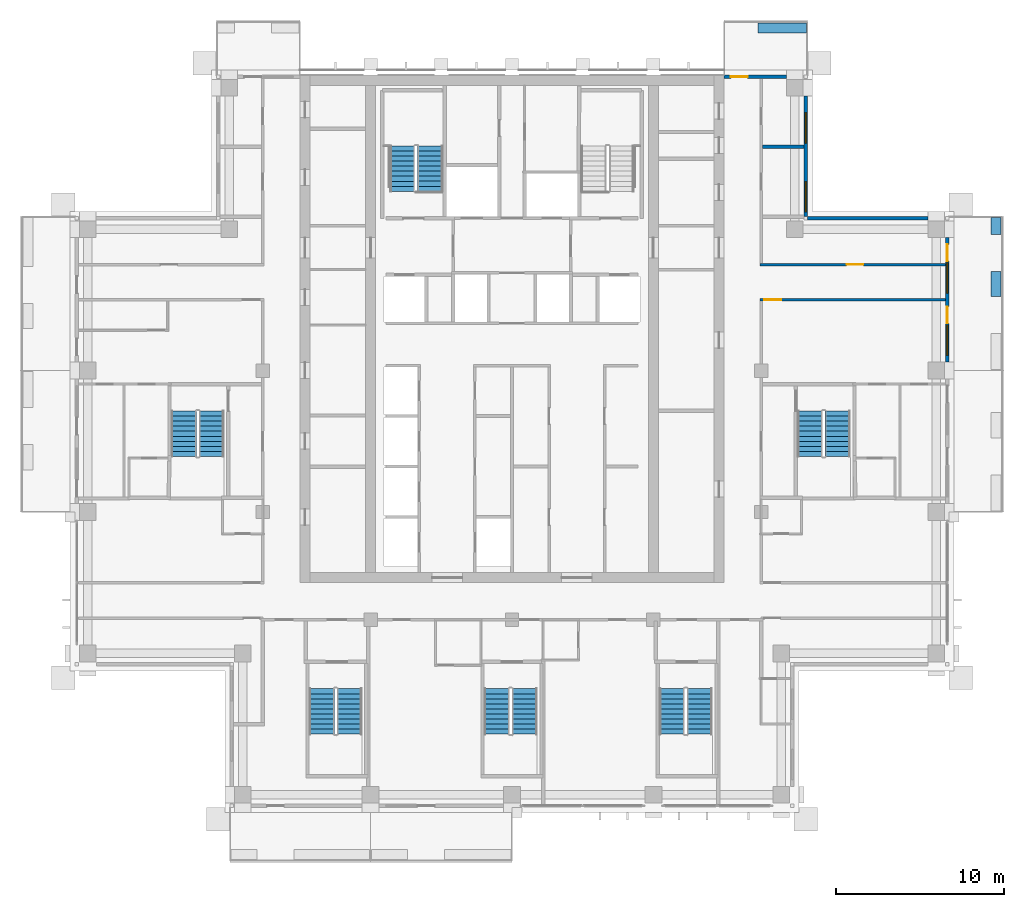
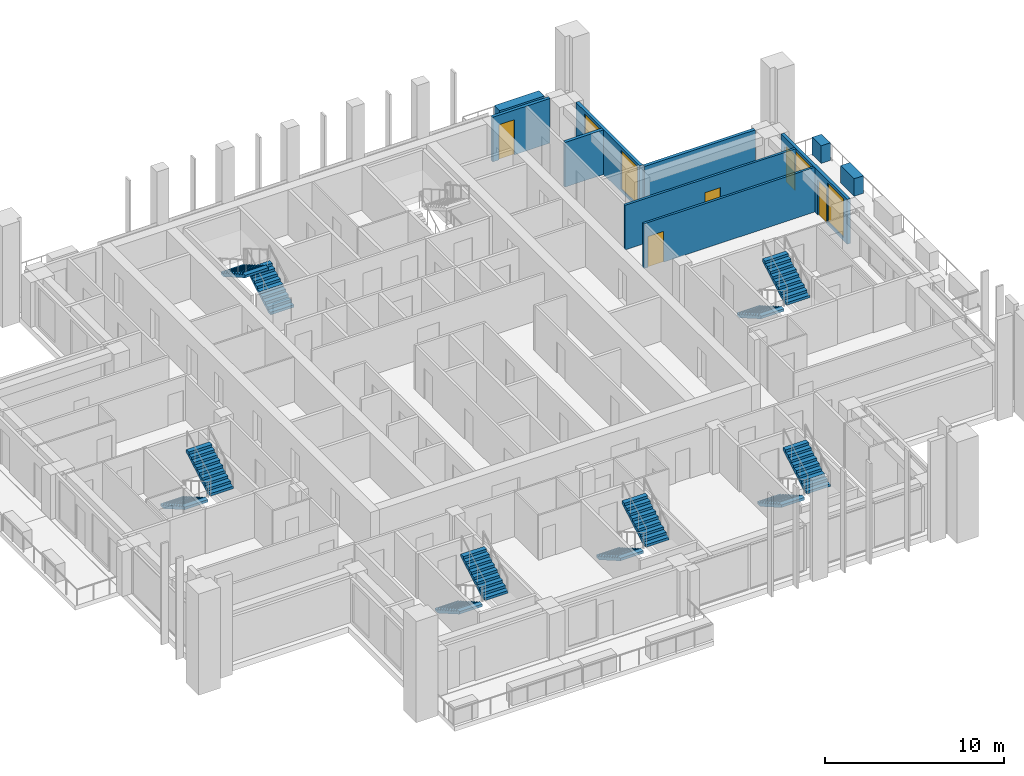
# One storey, part 12 of 17: 12 stair flights, 10 walls, 5 doors, 4 windows, 9 openings, 6 elements without a shape of their own.
"""IFC4 building model written with IfcOpenShell, lengths in metres."""

from ifc_helpers import new_model, si_unit, direction, frame, frame_2d, origin, place, context, subcontext, project, spatial, polyline, rectangle, outline, extrude, material, layer, layer_set, type_object, element, fill, aggregate, save


model = new_model("IFC4")

# Units and contexts
model_context = context("Model", 3, precision=1e-05, world=origin(), true_north=direction((0.0, 1.0)))
body_context = subcontext(model_context, "Body", "Model", "MODEL_VIEW")
ifc_project = project(units=[si_unit("LENGTHUNIT", "METRE"), si_unit("AREAUNIT", "SQUARE_METRE"), si_unit("VOLUMEUNIT", "CUBIC_METRE"), si_unit("PLANEANGLEUNIT", "RADIAN"), si_unit("MASSUNIT", "GRAM", prefix="KILO")], contexts=[model_context])

# Site, building, storey
site_placement = place(None, origin())
site = spatial("IfcSite", under=ifc_project, at=site_placement, CompositionType="ELEMENT")
building_placement = place(site_placement, origin())
building = spatial("IfcBuilding", under=site, at=building_placement, Name="Vermilion Ogive Tower", CompositionType="ELEMENT")
storey_placement = place(building_placement, frame((0.0, 0.0, 192.800048828125)))
storey = spatial("IfcBuildingStorey", under=building, at=storey_placement, Name="L50", CompositionType="ELEMENT", Elevation=192.800048828125)

# Wall, opening, door
ifc_material_1 = material(Name="Gypsum board partition on steel studs", Category="steel")
ifc_layer_1 = layer(ifc_material_1, 0.14990234375)
ifc_layer_set_1 = layer_set([ifc_layer_1], Name="Partition 150 corridor")
wall_type_1 = type_object("IfcWallType", Name="Partition 150 corridor", PredefinedType="PARTITIONING", material=ifc_layer_set_1)
wall_1_placement = place(storey_placement, frame((14.72509765625, 8.39990234375, 0.0), z_axis=(0.0, 0.0, 1.0), x_axis=(1.0, 0.0, 0.0)))
wall_1 = element("IfcWall", 1, at=wall_1_placement, inside=storey, type_object=wall_type_1, Name="L50-W-W039", PredefinedType="PARTITIONING", context=body_context, shape_type="SweptSolid", body=[
    extrude(rectangle(XDim=11.02490234375, YDim=0.14990234375, at=frame_2d((5.512451171875, 0.0))), origin(), (0.0, 0.0, 1.0), 3.050048828125),
])
opening_1_placement = place(wall_1_placement, frame((0.27490234375, 0.0, 0.0)))
opening_1 = element("IfcOpeningElement", 2, at=opening_1_placement, cuts=wall_1, Name="Opening D4G3020", PredefinedType="OPENING", context=body_context, shape_type="SweptSolid", body=[
    extrude(rectangle(XDim=1.0, YDim=2.10009765625, at=frame_2d((0.5, 1.050048828125))), frame((0.0, 0.0849609375, 0.0), z_axis=(0.0, -1.0, 0.0), x_axis=(1.0, 0.0, 0.0)), (0.0, 0.0, 1.0), 0.169921875),
])
ifc_material_2 = material(Name="Timber door leaf", Category="wood")
door_type_1 = type_object("IfcDoorType", Name="Unit door 1000 x 2100 FD30S", OperationType="SINGLE_SWING_LEFT", PredefinedType="DOOR", material=ifc_material_2)
door_1_placement = place(opening_1_placement, origin())
door_1 = element("IfcDoor", 3, at=door_1_placement, inside=storey, type_object=door_type_1, Name="L50-D-D020", OperationType="SINGLE_SWING_RIGHT", OverallHeight=2.10009765625, OverallWidth=1.0, PredefinedType="DOOR", context=body_context, shape_type="SweptSolid", body=[
    extrude(rectangle(XDim=1.0, YDim=2.10009765625, at=frame_2d((0.5, 1.050048828125))), frame((0.0, 0.02490234375, 0.0), z_axis=(0.0, -1.0, 0.0), x_axis=(1.0, 0.0, 0.0)), (0.0, 0.0, 1.0), 0.050048828125),
])
fill(opening_1, door_1)

wall_2_placement = place(storey_placement, frame((14.72509765625, 10.5, 0.0), z_axis=(0.0, 0.0, 1.0), x_axis=(1.0, 0.0, 0.0)))
wall_2 = element("IfcWall", 4, at=wall_2_placement, inside=storey, type_object=wall_type_1, Name="L50-W-W041", PredefinedType="PARTITIONING", context=body_context, shape_type="SweptSolid", body=[
    extrude(rectangle(XDim=11.02490234375, YDim=0.14990234375, at=frame_2d((5.512451171875, 0.0))), origin(), (0.0, 0.0, 1.0), 3.050048828125),
])
opening_2_placement = place(wall_2_placement, frame((5.14990234375, 0.0, 0.0)))
opening_2 = element("IfcOpeningElement", 5, at=opening_2_placement, cuts=wall_2, Name="Opening D4G3038", PredefinedType="OPENING", context=body_context, shape_type="SweptSolid", body=[
    extrude(rectangle(XDim=1.0, YDim=2.10009765625, at=frame_2d((0.5, 1.050048828125))), frame((0.0, 0.0849609375, 0.0), z_axis=(0.0, -1.0, 0.0), x_axis=(1.0, 0.0, 0.0)), (0.0, 0.0, 1.0), 0.169921875),
])
door_2_placement = place(opening_2_placement, origin())
door_2 = element("IfcDoor", 6, at=door_2_placement, inside=storey, type_object=door_type_1, Name="L50-D-D038", OperationType="SINGLE_SWING_RIGHT", OverallHeight=2.10009765625, OverallWidth=1.0, PredefinedType="DOOR", context=body_context, shape_type="SweptSolid", body=[
    extrude(rectangle(XDim=1.0, YDim=2.10009765625, at=frame_2d((0.5, 1.050048828125))), frame((0.0, 0.02490234375, 0.0), z_axis=(0.0, -1.0, 0.0), x_axis=(1.0, 0.0, 0.0)), (0.0, 0.0, 1.0), 0.050048828125),
])
fill(opening_2, door_2)

# Walls
ifc_material_3 = material(Name="Gypsum board partition on steel studs", Category="steel")
ifc_layer_2 = layer(ifc_material_3, 0.199951171875)
ifc_layer_set_2 = layer_set([ifc_layer_2], Name="Partition 200 party")
wall_type_2 = type_object("IfcWallType", Name="Partition 200 party", PredefinedType="PARTITIONING", material=ifc_layer_set_2)
wall_3_placement = place(storey_placement, frame((14.875, 17.5, 0.0), z_axis=(0.0, 0.0, 1.0), x_axis=(1.0, 0.0, 0.0)))
element("IfcWall", 7, at=wall_3_placement, inside=storey, type_object=wall_type_2, Name="L50-W-W045", PredefinedType="PARTITIONING", context=body_context, shape_type="SweptSolid", body=[
    extrude(rectangle(XDim=2.47509765625, YDim=0.199951171875, at=frame_2d((1.237548828125, 0.0))), origin(), (0.0, 0.0, 1.0), 3.050048828125),
])
ifc_material_4 = material(Name="Concrete B40", Category="concrete")
ifc_layer_3 = layer(ifc_material_4, 0.60009765625)
ifc_layer_set_3 = layer_set([ifc_layer_3], Name="Structural planter")
wall_type_3 = type_object("IfcWallType", Name="Structural planter", PredefinedType="USERDEFINED", material=ifc_layer_set_3)
wall_4_placement = place(storey_placement, frame((28.75, 8.60009765625, -0.0400390625), z_axis=(0.0, 0.0, 1.0), x_axis=(0.0, 1.0, 0.0)))
element("IfcWall", 8, at=wall_4_placement, inside=storey, type_object=wall_type_3, Name="Planter E03A2", ObjectType="PLANTER", PredefinedType="USERDEFINED", context=body_context, shape_type="SweptSolid", body=[
    extrude(rectangle(XDim=1.5, YDim=0.60009765625, at=frame_2d((0.75, 0.0))), origin(), (0.0, 0.0, 1.0), 1.199951171875),
])
wall_5_placement = place(storey_placement, frame((28.75, 12.300048828125, -0.0400390625), z_axis=(0.0, 0.0, 1.0), x_axis=(0.0, 1.0, 0.0)))
element("IfcWall", 9, at=wall_5_placement, inside=storey, type_object=wall_type_3, Name="Planter E03A3", ObjectType="PLANTER", PredefinedType="USERDEFINED", context=body_context, shape_type="SweptSolid", body=[
    extrude(rectangle(XDim=0.989990234375, YDim=0.60009765625, at=frame_2d((0.4951171875, 0.0))), origin(), (0.0, 0.0, 1.0), 1.199951171875),
])
wall_6_placement = place(storey_placement, frame((17.489990234375, 24.550048828125, -0.0400390625), z_axis=(0.0, 0.0, 1.0), x_axis=(-1.0, 0.0, 0.0)))
element("IfcWall", 10, at=wall_6_placement, inside=storey, type_object=wall_type_3, Name="Planter N101A1", ObjectType="PLANTER", PredefinedType="USERDEFINED", context=body_context, shape_type="SweptSolid", body=[
    extrude(rectangle(XDim=2.889892578125, YDim=0.60009765625, at=frame_2d((1.44482421875, 0.0))), origin(), (0.0, 0.0, 1.0), 1.199951171875),
])

# Wall, openings, doors, windows
ifc_material_5 = material(Name="Aluminium window wall framing", Category="aluminium")
ifc_layer_4 = layer(ifc_material_5, 0.199951171875)
ifc_layer_set_4 = layer_set([ifc_layer_4], Name="Window wall")
wall_type_4 = type_object("IfcWallType", Name="Window wall", PredefinedType="STANDARD", material=ifc_layer_set_4)
wall_7_placement = place(storey_placement, frame((25.85009765625, 4.699951171875, 0.0), z_axis=(0.0, 0.0, 1.0), x_axis=(0.0, 1.0, 0.0)))
wall_7 = element("IfcWall", 11, at=wall_7_placement, inside=storey, type_object=wall_type_4, Name="Window wall E3", PredefinedType="STANDARD", context=body_context, shape_type="SweptSolid", body=[
    extrude(rectangle(XDim=7.400146484375, YDim=0.199951171875, at=frame_2d((3.7001953125, 0.0))), origin(), (0.0, 0.0, 1.0), 3.050048828125),
])
opening_3_placement = place(wall_7_placement, frame((0.39990234375, 0.0, 0.199951171875)))
opening_3 = element("IfcOpeningElement", 12, at=opening_3_placement, cuts=wall_7, Name="Opening W1-E01", PredefinedType="OPENING", context=body_context, shape_type="SweptSolid", body=[
    extrude(rectangle(XDim=1.800048828125, YDim=2.64990234375, at=frame_2d((0.89990234375, 1.324951171875))), frame((0.0, 0.10986328125, 0.0), z_axis=(0.0, -1.0, 0.0), x_axis=(1.0, 0.0, 0.0)), (0.0, 0.0, 1.0), 0.219970703125),
])
opening_4_placement = place(wall_7_placement, frame((2.300048828125, 0.0, 0.0)))
opening_4 = element("IfcOpeningElement", 13, at=opening_4_placement, cuts=wall_7, Name="Opening D1-E01", PredefinedType="OPENING", context=body_context, shape_type="SweptSolid", body=[
    extrude(rectangle(XDim=1.0, YDim=2.39990234375, at=frame_2d((0.5, 1.199951171875))), frame((0.0, 0.10986328125, 0.0), z_axis=(0.0, -1.0, 0.0), x_axis=(1.0, 0.0, 0.0)), (0.0, 0.0, 1.0), 0.219970703125),
])
opening_5_placement = place(wall_7_placement, frame((4.10009765625, 0.0, 0.199951171875)))
opening_5 = element("IfcOpeningElement", 14, at=opening_5_placement, cuts=wall_7, Name="Opening W1-E02", PredefinedType="OPENING", context=body_context, shape_type="SweptSolid", body=[
    extrude(rectangle(XDim=1.800048828125, YDim=2.64990234375, at=frame_2d((0.89990234375, 1.324951171875))), frame((0.0, 0.10986328125, 0.0), z_axis=(0.0, -1.0, 0.0), x_axis=(1.0, 0.0, 0.0)), (0.0, 0.0, 1.0), 0.219970703125),
])
opening_6_placement = place(wall_7_placement, frame((6.0, 0.0, 0.0)))
opening_6 = element("IfcOpeningElement", 15, at=opening_6_placement, cuts=wall_7, Name="Opening D1-E02", PredefinedType="OPENING", context=body_context, shape_type="SweptSolid", body=[
    extrude(rectangle(XDim=1.0, YDim=2.39990234375, at=frame_2d((0.5, 1.199951171875))), frame((0.0, 0.10986328125, 0.0), z_axis=(0.0, -1.0, 0.0), x_axis=(1.0, 0.0, 0.0)), (0.0, 0.0, 1.0), 0.219970703125),
])
ifc_material_6 = material(Name="Aluminium framed glazed door", Category="aluminium")
door_type_2 = type_object("IfcDoorType", Name="Balcony door D1", OperationType="SINGLE_SWING_LEFT", PredefinedType="DOOR", material=ifc_material_6)
door_3_placement = place(opening_4_placement, origin())
door_3 = element("IfcDoor", 16, at=door_3_placement, inside=storey, type_object=door_type_2, Name="Balcony door E01", OperationType="SINGLE_SWING_LEFT", OverallHeight=2.39990234375, OverallWidth=1.0, PredefinedType="DOOR", context=body_context, shape_type="SweptSolid", body=[
    extrude(rectangle(XDim=1.0, YDim=2.39990234375, at=frame_2d((0.5, 1.199951171875))), frame((0.0, 0.02490234375, 0.0), z_axis=(0.0, -1.0, 0.0), x_axis=(1.0, 0.0, 0.0)), (0.0, 0.0, 1.0), 0.050048828125),
])
fill(opening_4, door_3)
door_4_placement = place(opening_6_placement, origin())
door_4 = element("IfcDoor", 17, at=door_4_placement, inside=storey, type_object=door_type_2, Name="Balcony door E02", OperationType="SINGLE_SWING_LEFT", OverallHeight=2.39990234375, OverallWidth=1.0, PredefinedType="DOOR", context=body_context, shape_type="SweptSolid", body=[
    extrude(rectangle(XDim=1.0, YDim=2.39990234375, at=frame_2d((0.5, 1.199951171875))), frame((0.0, 0.02490234375, 0.0), z_axis=(0.0, -1.0, 0.0), x_axis=(1.0, 0.0, 0.0)), (0.0, 0.0, 1.0), 0.050048828125),
])
fill(opening_6, door_4)
ifc_material_7 = material(Name="Aluminium framed double glazing", Category="aluminium")
window_type = type_object("IfcWindowType", Name="Guest window W1", PartitioningType="SINGLE_PANEL", PredefinedType="WINDOW", material=ifc_material_7)
window_1_placement = place(opening_3_placement, origin())
window_1 = element("IfcWindow", 18, at=window_1_placement, inside=storey, type_object=window_type, Name="Window E01", OverallHeight=2.64990234375, OverallWidth=1.800048828125, PartitioningType="SINGLE_PANEL", PredefinedType="WINDOW", context=body_context, shape_type="SweptSolid", body=[
    extrude(rectangle(XDim=1.800048828125, YDim=2.64990234375, at=frame_2d((0.89990234375, 1.324951171875))), frame((0.0, 0.030029296875, 0.0), z_axis=(0.0, -1.0, 0.0), x_axis=(1.0, 0.0, 0.0)), (0.0, 0.0, 1.0), 0.06005859375),
])
fill(opening_3, window_1)
window_2_placement = place(opening_5_placement, origin())
window_2 = element("IfcWindow", 19, at=window_2_placement, inside=storey, type_object=window_type, Name="Window E02", OverallHeight=2.64990234375, OverallWidth=1.800048828125, PartitioningType="SINGLE_PANEL", PredefinedType="WINDOW", context=body_context, shape_type="SweptSolid", body=[
    extrude(rectangle(XDim=1.800048828125, YDim=2.64990234375, at=frame_2d((0.89990234375, 1.324951171875))), frame((0.0, 0.030029296875, 0.0), z_axis=(0.0, -1.0, 0.0), x_axis=(1.0, 0.0, 0.0)), (0.0, 0.0, 1.0), 0.06005859375),
])
fill(opening_5, window_2)

# Wall
wall_8_placement = place(storey_placement, frame((24.699951171875, 13.25, 0.0), z_axis=(0.0, 0.0, 1.0), x_axis=(-1.0, 0.0, 0.0)))
element("IfcWall", 20, at=wall_8_placement, inside=storey, type_object=wall_type_4, Name="Window wall X31", PredefinedType="STANDARD", context=body_context, shape_type="SweptSolid", body=[
    extrude(rectangle(XDim=7.14990234375, YDim=0.199951171875, at=frame_2d((3.574951171875, 0.0))), origin(), (0.0, 0.0, 1.0), 3.050048828125),
])

# Wall, openings, windows
wall_9_placement = place(storey_placement, frame((17.449951171875, 13.35009765625, 0.0), z_axis=(0.0, 0.0, 1.0), x_axis=(0.0, 1.0, 0.0)))
wall_9 = element("IfcWall", 21, at=wall_9_placement, inside=storey, type_object=wall_type_4, Name="Window wall X41", PredefinedType="STANDARD", context=body_context, shape_type="SweptSolid", body=[
    extrude(rectangle(XDim=7.14990234375, YDim=0.199951171875, at=frame_2d((3.574951171875, 0.0))), origin(), (0.0, 0.0, 1.0), 3.050048828125),
])
opening_7_placement = place(wall_9_placement, frame((0.27490234375, 0.0, 0.199951171875)))
opening_7 = element("IfcOpeningElement", 22, at=opening_7_placement, cuts=wall_9, Name="Opening W1-X403", PredefinedType="OPENING", context=body_context, shape_type="SweptSolid", body=[
    extrude(rectangle(XDim=1.800048828125, YDim=2.64990234375, at=frame_2d((0.89990234375, 1.324951171875))), frame((0.0, 0.10986328125, 0.0), z_axis=(0.0, -1.0, 0.0), x_axis=(1.0, 0.0, 0.0)), (0.0, 0.0, 1.0), 0.219970703125),
])
opening_8_placement = place(wall_9_placement, frame((4.3701171875, 0.0, 0.199951171875)))
opening_8 = element("IfcOpeningElement", 23, at=opening_8_placement, cuts=wall_9, Name="Opening W1-X404", PredefinedType="OPENING", context=body_context, shape_type="SweptSolid", body=[
    extrude(rectangle(XDim=1.800048828125, YDim=2.64990234375, at=frame_2d((0.89990234375, 1.324951171875))), frame((0.0, 0.10986328125, 0.0), z_axis=(0.0, -1.0, 0.0), x_axis=(1.0, 0.0, 0.0)), (0.0, 0.0, 1.0), 0.219970703125),
])
window_3_placement = place(opening_7_placement, origin())
window_3 = element("IfcWindow", 24, at=window_3_placement, inside=storey, type_object=window_type, Name="Window X403", OverallHeight=2.64990234375, OverallWidth=1.800048828125, PartitioningType="SINGLE_PANEL", PredefinedType="WINDOW", context=body_context, shape_type="SweptSolid", body=[
    extrude(rectangle(XDim=1.800048828125, YDim=2.64990234375, at=frame_2d((0.89990234375, 1.324951171875))), frame((0.0, 0.030029296875, 0.0), z_axis=(0.0, -1.0, 0.0), x_axis=(1.0, 0.0, 0.0)), (0.0, 0.0, 1.0), 0.06005859375),
])
fill(opening_7, window_3)
window_4_placement = place(opening_8_placement, origin())
window_4 = element("IfcWindow", 25, at=window_4_placement, inside=storey, type_object=window_type, Name="Window X404", OverallHeight=2.64990234375, OverallWidth=1.800048828125, PartitioningType="SINGLE_PANEL", PredefinedType="WINDOW", context=body_context, shape_type="SweptSolid", body=[
    extrude(rectangle(XDim=1.800048828125, YDim=2.64990234375, at=frame_2d((0.89990234375, 1.324951171875))), frame((0.0, 0.030029296875, 0.0), z_axis=(0.0, -1.0, 0.0), x_axis=(1.0, 0.0, 0.0)), (0.0, 0.0, 1.0), 0.06005859375),
])
fill(opening_8, window_4)

# Wall, opening, door
wall_10_placement = place(storey_placement, frame((16.300048828125, 21.64990234375, 0.0), z_axis=(0.0, 0.0, 1.0), x_axis=(-1.0, 0.0, 0.0)))
wall_10 = element("IfcWall", 26, at=wall_10_placement, inside=storey, type_object=wall_type_4, Name="Window wall N11", PredefinedType="STANDARD", context=body_context, shape_type="SweptSolid", body=[
    extrude(rectangle(XDim=3.699951171875, YDim=0.199951171875, at=frame_2d((1.85009765625, 0.0))), origin(), (0.0, 0.0, 1.0), 3.050048828125),
])
opening_9_placement = place(wall_10_placement, frame((2.300048828125, 0.0, 0.0)))
opening_9 = element("IfcOpeningElement", 27, at=opening_9_placement, cuts=wall_10, Name="Opening D1-N103", PredefinedType="OPENING", context=body_context, shape_type="SweptSolid", body=[
    extrude(rectangle(XDim=1.0, YDim=2.39990234375, at=frame_2d((0.5, 1.199951171875))), frame((0.0, 0.10986328125, 0.0), z_axis=(0.0, -1.0, 0.0), x_axis=(1.0, 0.0, 0.0)), (0.0, 0.0, 1.0), 0.219970703125),
])
door_5_placement = place(opening_9_placement, origin())
door_5 = element("IfcDoor", 28, at=door_5_placement, inside=storey, type_object=door_type_2, Name="Balcony door N103", OperationType="SINGLE_SWING_LEFT", OverallHeight=2.39990234375, OverallWidth=1.0, PredefinedType="DOOR", context=body_context, shape_type="SweptSolid", body=[
    extrude(rectangle(XDim=1.0, YDim=2.39990234375, at=frame_2d((0.5, 1.199951171875))), frame((0.0, 0.02490234375, 0.0), z_axis=(0.0, -1.0, 0.0), x_axis=(1.0, 0.0, 0.0)), (0.0, 0.0, 1.0), 0.050048828125),
])
fill(opening_9, door_5)

# Stair, stair flights
ifc_material_8 = material(Name="Concrete B40", Category="concrete")
stair_type = type_object("IfcStairType", Name="Exit stair 1500", PredefinedType="HALF_TURN_STAIR", material=ifc_material_8)
stair_1_placement = place(storey_placement, origin())
stair_1 = element("IfcStair", 29, at=stair_1_placement, inside=storey, type_object=stair_type, Name="L50 Exit Stair ST1", PredefinedType="HALF_TURN_STAIR")
ifc_material_9 = material(Name="Concrete B40", Category="concrete")
stair_flight_type = type_object("IfcStairFlightType", Name="Stair flight 1500", PredefinedType="STRAIGHT", material=ifc_material_9)
stair_flight_1_placement = place(storey_placement, frame((-4.85009765625, 14.85009765625, 0.0), z_axis=(0.0, 0.0, 1.0), x_axis=(0.0, 1.0, 0.0)))
stair_flight_1 = element("IfcStairFlight", 30, at=stair_flight_1_placement, type_object=stair_flight_type, Name="ST1 flight 1", NumberOfRisers=10, NumberOfTreads=9, PredefinedType="STRAIGHT", RiserHeight=0.1725, TreadLength=0.3, context=body_context, shape_type="SweptSolid", body=[
    extrude(outline(polyline([(0.0, 0.0), (0.0, 0.172607421875), (0.300048828125, 0.172607421875), (0.300048828125, 0.344970703125), (0.60009765625, 0.344970703125), (0.60009765625, 0.517578125), (0.89990234375, 0.517578125), (0.89990234375, 0.68994140625), (1.199951171875, 0.68994140625), (1.199951171875, 0.862548828125), (1.5, 0.862548828125), (1.5, 1.034912109375), (1.800048828125, 1.034912109375), (1.800048828125, 1.20751953125), (2.10009765625, 1.20751953125), (2.10009765625, 1.3798828125), (2.39990234375, 1.3798828125), (2.39990234375, 1.552490234375), (2.699951171875, 1.552490234375), (2.699951171875, 1.72509765625), (2.699951171875, 1.379638671875), (0.30078125, 0.0), (0.0, 0.0)])), frame((0.0, 0.75, 0.0), z_axis=(0.0, -1.0, 0.0), x_axis=(1.0, 0.0, 0.0)), (0.0, 0.0, 1.0), 1.5),
])
stair_flight_2_placement = place(storey_placement, frame((-6.5, 17.550048828125, 1.724853515625), z_axis=(0.0, 0.0, 1.0), x_axis=(0.0, -1.0, 0.0)))
stair_flight_2 = element("IfcStairFlight", 31, at=stair_flight_2_placement, type_object=stair_flight_type, Name="ST1 flight 2", NumberOfRisers=10, NumberOfTreads=9, PredefinedType="STRAIGHT", RiserHeight=0.1725, TreadLength=0.3, context=body_context, shape_type="SweptSolid", body=[
    extrude(outline(polyline([(0.0, 0.0), (0.0, 0.172607421875), (0.300048828125, 0.172607421875), (0.300048828125, 0.344970703125), (0.60009765625, 0.344970703125), (0.60009765625, 0.517578125), (0.89990234375, 0.517578125), (0.89990234375, 0.68994140625), (1.199951171875, 0.68994140625), (1.199951171875, 0.862548828125), (1.5, 0.862548828125), (1.5, 1.034912109375), (1.800048828125, 1.034912109375), (1.800048828125, 1.20751953125), (2.10009765625, 1.20751953125), (2.10009765625, 1.3798828125), (2.39990234375, 1.3798828125), (2.39990234375, 1.552490234375), (2.699951171875, 1.552490234375), (2.699951171875, 1.72509765625), (2.699951171875, 1.379638671875), (0.30078125, 0.0), (0.0, 0.0)])), frame((0.0, 0.75, 0.0), z_axis=(0.0, -1.0, 0.0), x_axis=(1.0, 0.0, 0.0)), (0.0, 0.0, 1.0), 1.5),
])
aggregate(stair_1, [stair_flight_1, stair_flight_2])

stair_2_placement = place(storey_placement, origin())
stair_2 = element("IfcStair", 32, at=stair_2_placement, inside=storey, type_object=stair_type, Name="L50 Exit Stair ST3", PredefinedType="HALF_TURN_STAIR")
stair_flight_3_placement = place(storey_placement, frame((-11.300048828125, -14.699951171875, 0.0), z_axis=(0.0, 0.0, 1.0), x_axis=(0.0, -1.0, 0.0)))
stair_flight_3 = element("IfcStairFlight", 33, at=stair_flight_3_placement, type_object=stair_flight_type, Name="ST3 flight 1", NumberOfRisers=10, NumberOfTreads=9, PredefinedType="STRAIGHT", RiserHeight=0.1725, TreadLength=0.3, context=body_context, shape_type="SweptSolid", body=[
    extrude(outline(polyline([(0.0, 0.0), (0.0, 0.172607421875), (0.300048828125, 0.172607421875), (0.300048828125, 0.344970703125), (0.60009765625, 0.344970703125), (0.60009765625, 0.517578125), (0.89990234375, 0.517578125), (0.89990234375, 0.68994140625), (1.199951171875, 0.68994140625), (1.199951171875, 0.862548828125), (1.5, 0.862548828125), (1.5, 1.034912109375), (1.800048828125, 1.034912109375), (1.800048828125, 1.20751953125), (2.10009765625, 1.20751953125), (2.10009765625, 1.3798828125), (2.39990234375, 1.3798828125), (2.39990234375, 1.552490234375), (2.699951171875, 1.552490234375), (2.699951171875, 1.72509765625), (2.699951171875, 1.379638671875), (0.30078125, 0.0), (0.0, 0.0)])), frame((0.0, 0.75, 0.0), z_axis=(0.0, -1.0, 0.0), x_axis=(1.0, 0.0, 0.0)), (0.0, 0.0, 1.0), 1.5),
])
stair_flight_4_placement = place(storey_placement, frame((-9.64990234375, -17.39990234375, 1.724853515625), z_axis=(0.0, 0.0, 1.0), x_axis=(0.0, 1.0, 0.0)))
stair_flight_4 = element("IfcStairFlight", 34, at=stair_flight_4_placement, type_object=stair_flight_type, Name="ST3 flight 2", NumberOfRisers=10, NumberOfTreads=9, PredefinedType="STRAIGHT", RiserHeight=0.1725, TreadLength=0.3, context=body_context, shape_type="SweptSolid", body=[
    extrude(outline(polyline([(0.0, 0.0), (0.0, 0.172607421875), (0.300048828125, 0.172607421875), (0.300048828125, 0.344970703125), (0.60009765625, 0.344970703125), (0.60009765625, 0.517578125), (0.89990234375, 0.517578125), (0.89990234375, 0.68994140625), (1.199951171875, 0.68994140625), (1.199951171875, 0.862548828125), (1.5, 0.862548828125), (1.5, 1.034912109375), (1.800048828125, 1.034912109375), (1.800048828125, 1.20751953125), (2.10009765625, 1.20751953125), (2.10009765625, 1.3798828125), (2.39990234375, 1.3798828125), (2.39990234375, 1.552490234375), (2.699951171875, 1.552490234375), (2.699951171875, 1.72509765625), (2.699951171875, 1.379638671875), (0.30078125, 0.0), (0.0, 0.0)])), frame((0.0, 0.75, 0.0), z_axis=(0.0, -1.0, 0.0), x_axis=(1.0, 0.0, 0.0)), (0.0, 0.0, 1.0), 1.5),
])
aggregate(stair_2, [stair_flight_3, stair_flight_4])

stair_3_placement = place(storey_placement, origin())
stair_3 = element("IfcStair", 35, at=stair_3_placement, inside=storey, type_object=stair_type, Name="L50 Exit Stair ST4", PredefinedType="HALF_TURN_STAIR")
stair_flight_5_placement = place(storey_placement, frame((-0.89990234375, -14.699951171875, 0.0), z_axis=(0.0, 0.0, 1.0), x_axis=(0.0, -1.0, 0.0)))
stair_flight_5 = element("IfcStairFlight", 36, at=stair_flight_5_placement, type_object=stair_flight_type, Name="ST4 flight 1", NumberOfRisers=10, NumberOfTreads=9, PredefinedType="STRAIGHT", RiserHeight=0.1725, TreadLength=0.3, context=body_context, shape_type="SweptSolid", body=[
    extrude(outline(polyline([(0.0, 0.0), (0.0, 0.172607421875), (0.300048828125, 0.172607421875), (0.300048828125, 0.344970703125), (0.60009765625, 0.344970703125), (0.60009765625, 0.517578125), (0.89990234375, 0.517578125), (0.89990234375, 0.68994140625), (1.199951171875, 0.68994140625), (1.199951171875, 0.862548828125), (1.5, 0.862548828125), (1.5, 1.034912109375), (1.800048828125, 1.034912109375), (1.800048828125, 1.20751953125), (2.10009765625, 1.20751953125), (2.10009765625, 1.3798828125), (2.39990234375, 1.3798828125), (2.39990234375, 1.552490234375), (2.699951171875, 1.552490234375), (2.699951171875, 1.72509765625), (2.699951171875, 1.379638671875), (0.30078125, 0.0), (0.0, 0.0)])), frame((0.0, 0.75, 0.0), z_axis=(0.0, -1.0, 0.0), x_axis=(1.0, 0.0, 0.0)), (0.0, 0.0, 1.0), 1.5),
])
stair_flight_6_placement = place(storey_placement, frame((0.75, -17.39990234375, 1.724853515625), z_axis=(0.0, 0.0, 1.0), x_axis=(0.0, 1.0, 0.0)))
stair_flight_6 = element("IfcStairFlight", 37, at=stair_flight_6_placement, type_object=stair_flight_type, Name="ST4 flight 2", NumberOfRisers=10, NumberOfTreads=9, PredefinedType="STRAIGHT", RiserHeight=0.1725, TreadLength=0.3, context=body_context, shape_type="SweptSolid", body=[
    extrude(outline(polyline([(0.0, 0.0), (0.0, 0.172607421875), (0.300048828125, 0.172607421875), (0.300048828125, 0.344970703125), (0.60009765625, 0.344970703125), (0.60009765625, 0.517578125), (0.89990234375, 0.517578125), (0.89990234375, 0.68994140625), (1.199951171875, 0.68994140625), (1.199951171875, 0.862548828125), (1.5, 0.862548828125), (1.5, 1.034912109375), (1.800048828125, 1.034912109375), (1.800048828125, 1.20751953125), (2.10009765625, 1.20751953125), (2.10009765625, 1.3798828125), (2.39990234375, 1.3798828125), (2.39990234375, 1.552490234375), (2.699951171875, 1.552490234375), (2.699951171875, 1.72509765625), (2.699951171875, 1.379638671875), (0.30078125, 0.0), (0.0, 0.0)])), frame((0.0, 0.75, 0.0), z_axis=(0.0, -1.0, 0.0), x_axis=(1.0, 0.0, 0.0)), (0.0, 0.0, 1.0), 1.5),
])
aggregate(stair_3, [stair_flight_5, stair_flight_6])

stair_4_placement = place(storey_placement, origin())
stair_4 = element("IfcStair", 38, at=stair_4_placement, inside=storey, type_object=stair_type, Name="L50 Exit Stair ST5", PredefinedType="HALF_TURN_STAIR")
stair_flight_7_placement = place(storey_placement, frame((9.5, -14.699951171875, 0.0), z_axis=(0.0, 0.0, 1.0), x_axis=(0.0, -1.0, 0.0)))
stair_flight_7 = element("IfcStairFlight", 39, at=stair_flight_7_placement, type_object=stair_flight_type, Name="ST5 flight 1", NumberOfRisers=10, NumberOfTreads=9, PredefinedType="STRAIGHT", RiserHeight=0.1725, TreadLength=0.3, context=body_context, shape_type="SweptSolid", body=[
    extrude(outline(polyline([(0.0, 0.0), (0.0, 0.172607421875), (0.300048828125, 0.172607421875), (0.300048828125, 0.344970703125), (0.60009765625, 0.344970703125), (0.60009765625, 0.517578125), (0.89990234375, 0.517578125), (0.89990234375, 0.68994140625), (1.199951171875, 0.68994140625), (1.199951171875, 0.862548828125), (1.5, 0.862548828125), (1.5, 1.034912109375), (1.800048828125, 1.034912109375), (1.800048828125, 1.20751953125), (2.10009765625, 1.20751953125), (2.10009765625, 1.3798828125), (2.39990234375, 1.3798828125), (2.39990234375, 1.552490234375), (2.699951171875, 1.552490234375), (2.699951171875, 1.72509765625), (2.699951171875, 1.379638671875), (0.30078125, 0.0), (0.0, 0.0)])), frame((0.0, 0.75, 0.0), z_axis=(0.0, -1.0, 0.0), x_axis=(1.0, 0.0, 0.0)), (0.0, 0.0, 1.0), 1.5),
])
stair_flight_8_placement = place(storey_placement, frame((11.14990234375, -17.39990234375, 1.724853515625), z_axis=(0.0, 0.0, 1.0), x_axis=(0.0, 1.0, 0.0)))
stair_flight_8 = element("IfcStairFlight", 40, at=stair_flight_8_placement, type_object=stair_flight_type, Name="ST5 flight 2", NumberOfRisers=10, NumberOfTreads=9, PredefinedType="STRAIGHT", RiserHeight=0.1725, TreadLength=0.3, context=body_context, shape_type="SweptSolid", body=[
    extrude(outline(polyline([(0.0, 0.0), (0.0, 0.172607421875), (0.300048828125, 0.172607421875), (0.300048828125, 0.344970703125), (0.60009765625, 0.344970703125), (0.60009765625, 0.517578125), (0.89990234375, 0.517578125), (0.89990234375, 0.68994140625), (1.199951171875, 0.68994140625), (1.199951171875, 0.862548828125), (1.5, 0.862548828125), (1.5, 1.034912109375), (1.800048828125, 1.034912109375), (1.800048828125, 1.20751953125), (2.10009765625, 1.20751953125), (2.10009765625, 1.3798828125), (2.39990234375, 1.3798828125), (2.39990234375, 1.552490234375), (2.699951171875, 1.552490234375), (2.699951171875, 1.72509765625), (2.699951171875, 1.379638671875), (0.30078125, 0.0), (0.0, 0.0)])), frame((0.0, 0.75, 0.0), z_axis=(0.0, -1.0, 0.0), x_axis=(1.0, 0.0, 0.0)), (0.0, 0.0, 1.0), 1.5),
])
aggregate(stair_4, [stair_flight_7, stair_flight_8])

stair_5_placement = place(storey_placement, origin())
stair_5 = element("IfcStair", 41, at=stair_5_placement, inside=storey, type_object=stair_type, Name="L50 Exit Stair ST8", PredefinedType="HALF_TURN_STAIR")
stair_flight_9_placement = place(storey_placement, frame((17.699951171875, 1.800048828125, 0.0), z_axis=(0.0, 0.0, 1.0), x_axis=(0.0, -1.0, 0.0)))
stair_flight_9 = element("IfcStairFlight", 42, at=stair_flight_9_placement, type_object=stair_flight_type, Name="ST8 flight 1", NumberOfRisers=10, NumberOfTreads=9, PredefinedType="STRAIGHT", RiserHeight=0.1725, TreadLength=0.3, context=body_context, shape_type="SweptSolid", body=[
    extrude(outline(polyline([(0.0, 0.0), (0.0, 0.172607421875), (0.300048828125, 0.172607421875), (0.300048828125, 0.344970703125), (0.60009765625, 0.344970703125), (0.60009765625, 0.517578125), (0.89990234375, 0.517578125), (0.89990234375, 0.68994140625), (1.199951171875, 0.68994140625), (1.199951171875, 0.862548828125), (1.5, 0.862548828125), (1.5, 1.034912109375), (1.800048828125, 1.034912109375), (1.800048828125, 1.20751953125), (2.10009765625, 1.20751953125), (2.10009765625, 1.3798828125), (2.39990234375, 1.3798828125), (2.39990234375, 1.552490234375), (2.699951171875, 1.552490234375), (2.699951171875, 1.72509765625), (2.699951171875, 1.379638671875), (0.30078125, 0.0), (0.0, 0.0)])), frame((0.0, 0.75, 0.0), z_axis=(0.0, -1.0, 0.0), x_axis=(1.0, 0.0, 0.0)), (0.0, 0.0, 1.0), 1.5),
])
stair_flight_10_placement = place(storey_placement, frame((19.35009765625, -0.89990234375, 1.724853515625), z_axis=(0.0, 0.0, 1.0), x_axis=(0.0, 1.0, 0.0)))
stair_flight_10 = element("IfcStairFlight", 43, at=stair_flight_10_placement, type_object=stair_flight_type, Name="ST8 flight 2", NumberOfRisers=10, NumberOfTreads=9, PredefinedType="STRAIGHT", RiserHeight=0.1725, TreadLength=0.3, context=body_context, shape_type="SweptSolid", body=[
    extrude(outline(polyline([(0.0, 0.0), (0.0, 0.172607421875), (0.300048828125, 0.172607421875), (0.300048828125, 0.344970703125), (0.60009765625, 0.344970703125), (0.60009765625, 0.517578125), (0.89990234375, 0.517578125), (0.89990234375, 0.68994140625), (1.199951171875, 0.68994140625), (1.199951171875, 0.862548828125), (1.5, 0.862548828125), (1.5, 1.034912109375), (1.800048828125, 1.034912109375), (1.800048828125, 1.20751953125), (2.10009765625, 1.20751953125), (2.10009765625, 1.3798828125), (2.39990234375, 1.3798828125), (2.39990234375, 1.552490234375), (2.699951171875, 1.552490234375), (2.699951171875, 1.72509765625), (2.699951171875, 1.379638671875), (0.30078125, 0.0), (0.0, 0.0)])), frame((0.0, 0.75, 0.0), z_axis=(0.0, -1.0, 0.0), x_axis=(1.0, 0.0, 0.0)), (0.0, 0.0, 1.0), 1.5),
])
aggregate(stair_5, [stair_flight_9, stair_flight_10])

stair_6_placement = place(storey_placement, origin())
stair_6 = element("IfcStair", 44, at=stair_6_placement, inside=storey, type_object=stair_type, Name="L50 Exit Stair ST9", PredefinedType="HALF_TURN_STAIR")
stair_flight_11_placement = place(storey_placement, frame((-19.5, 1.800048828125, 0.0), z_axis=(0.0, 0.0, 1.0), x_axis=(0.0, -1.0, 0.0)))
stair_flight_11 = element("IfcStairFlight", 45, at=stair_flight_11_placement, type_object=stair_flight_type, Name="ST9 flight 1", NumberOfRisers=10, NumberOfTreads=9, PredefinedType="STRAIGHT", RiserHeight=0.1725, TreadLength=0.3, context=body_context, shape_type="SweptSolid", body=[
    extrude(outline(polyline([(0.0, 0.0), (0.0, 0.172607421875), (0.300048828125, 0.172607421875), (0.300048828125, 0.344970703125), (0.60009765625, 0.344970703125), (0.60009765625, 0.517578125), (0.89990234375, 0.517578125), (0.89990234375, 0.68994140625), (1.199951171875, 0.68994140625), (1.199951171875, 0.862548828125), (1.5, 0.862548828125), (1.5, 1.034912109375), (1.800048828125, 1.034912109375), (1.800048828125, 1.20751953125), (2.10009765625, 1.20751953125), (2.10009765625, 1.3798828125), (2.39990234375, 1.3798828125), (2.39990234375, 1.552490234375), (2.699951171875, 1.552490234375), (2.699951171875, 1.72509765625), (2.699951171875, 1.379638671875), (0.30078125, 0.0), (0.0, 0.0)])), frame((0.0, 0.75, 0.0), z_axis=(0.0, -1.0, 0.0), x_axis=(1.0, 0.0, 0.0)), (0.0, 0.0, 1.0), 1.5),
])
stair_flight_12_placement = place(storey_placement, frame((-17.85009765625, -0.89990234375, 1.724853515625), z_axis=(0.0, 0.0, 1.0), x_axis=(0.0, 1.0, 0.0)))
stair_flight_12 = element("IfcStairFlight", 46, at=stair_flight_12_placement, type_object=stair_flight_type, Name="ST9 flight 2", NumberOfRisers=10, NumberOfTreads=9, PredefinedType="STRAIGHT", RiserHeight=0.1725, TreadLength=0.3, context=body_context, shape_type="SweptSolid", body=[
    extrude(outline(polyline([(0.0, 0.0), (0.0, 0.172607421875), (0.300048828125, 0.172607421875), (0.300048828125, 0.344970703125), (0.60009765625, 0.344970703125), (0.60009765625, 0.517578125), (0.89990234375, 0.517578125), (0.89990234375, 0.68994140625), (1.199951171875, 0.68994140625), (1.199951171875, 0.862548828125), (1.5, 0.862548828125), (1.5, 1.034912109375), (1.800048828125, 1.034912109375), (1.800048828125, 1.20751953125), (2.10009765625, 1.20751953125), (2.10009765625, 1.3798828125), (2.39990234375, 1.3798828125), (2.39990234375, 1.552490234375), (2.699951171875, 1.552490234375), (2.699951171875, 1.72509765625), (2.699951171875, 1.379638671875), (0.30078125, 0.0), (0.0, 0.0)])), frame((0.0, 0.75, 0.0), z_axis=(0.0, -1.0, 0.0), x_axis=(1.0, 0.0, 0.0)), (0.0, 0.0, 1.0), 1.5),
])
aggregate(stair_6, [stair_flight_11, stair_flight_12])

save(model, "model.ifc")
